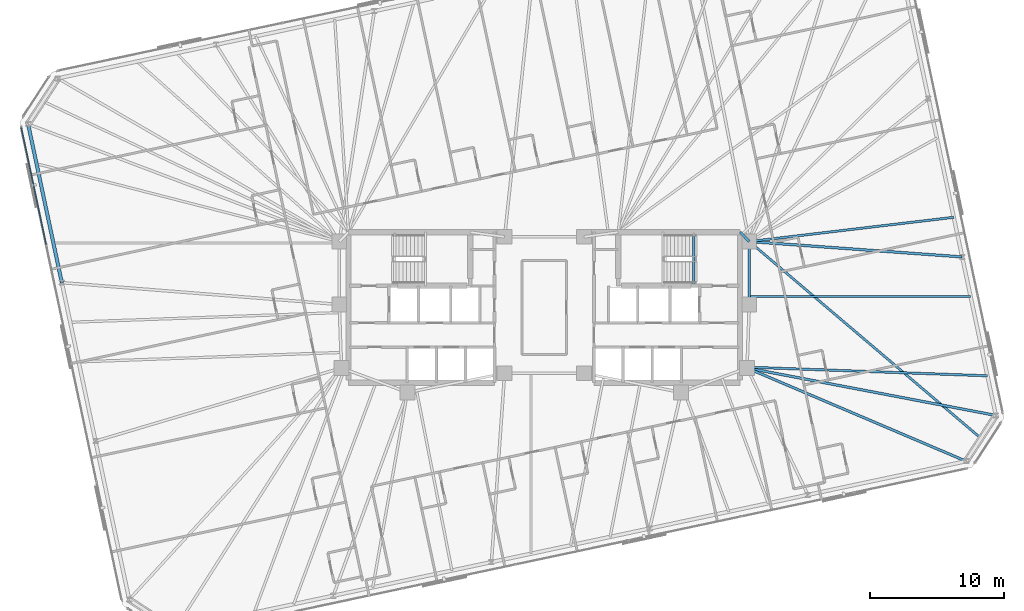
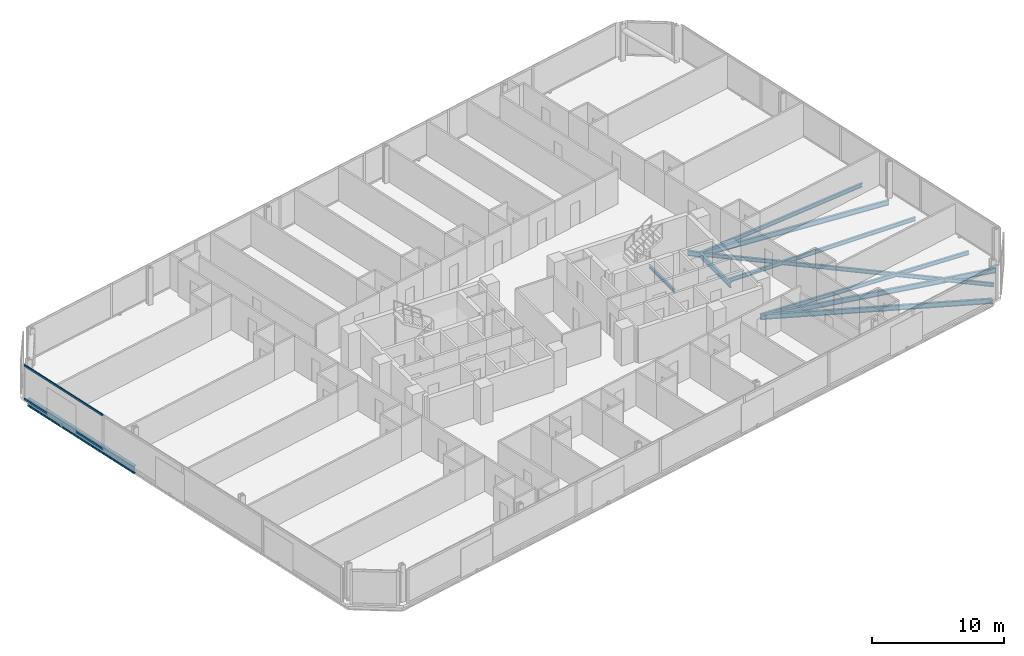
# One storey, part 8 of 20: 11 beams, 2 members, 1 element without a shape of its own.
"""IFC4 building model written with IfcOpenShell, lengths in metres."""

from ifc_helpers import new_model, si_unit, direction, frame, origin, origin_2d, place, context, subcontext, project, spatial, rectangle, i_section, extrude, material, material_profile, profile_set, type_object, element, aggregate, save


model = new_model("IFC4")

# Units and contexts
model_context = context("Model", 3, precision=1e-05, world=origin(), true_north=direction((0.0, 1.0)))
body_context = subcontext(model_context, "Body", "Model", "MODEL_VIEW")
ifc_project = project(units=[si_unit("LENGTHUNIT", "METRE"), si_unit("AREAUNIT", "SQUARE_METRE"), si_unit("VOLUMEUNIT", "CUBIC_METRE"), si_unit("PLANEANGLEUNIT", "RADIAN"), si_unit("MASSUNIT", "GRAM", prefix="KILO")], contexts=[model_context])

# Site, building, storey
site_placement = place(None, origin())
site = spatial("IfcSite", under=ifc_project, at=site_placement, CompositionType="ELEMENT")
building_placement = place(site_placement, origin())
building = spatial("IfcBuilding", under=site, at=building_placement, Name="Menara Jurai Vektor", CompositionType="ELEMENT")
storey_placement = place(building_placement, frame((0.0, 0.0, 185.39990234375)))
storey = spatial("IfcBuildingStorey", under=building, at=storey_placement, Name="L48", CompositionType="ELEMENT", Elevation=185.39990234375)

# Curtain wall, members
ifc_material_1 = material(Name="Anodised Pale Aluminium & Low-E Double Glazing", Category="aluminium")
curtain_wall_type = type_object("IfcCurtainWallType", Name="CW-BLK3", PredefinedType="NOTDEFINED", material=ifc_material_1)
curtain_wall_placement = place(storey_placement, origin())
curtain_wall = element("IfcCurtainWall", 1, at=curtain_wall_placement, inside=storey, type_object=curtain_wall_type, Name="Unitised Curtain Wall L48 F07", PredefinedType="NOTDEFINED")
ifc_material_2 = material(Name="Anodised Pale Aluminium Transom", Category="aluminium")
ifc_material_profile_1 = material_profile(ifc_material_2, rectangle(XDim=0.0849609375, YDim=0.175048828125, at=origin_2d()), Name="ALU TRN 85x175")
ifc_profile_set_1 = profile_set([ifc_material_profile_1], Name="Anodised Pale Aluminium Transom")
member_type = type_object("IfcMemberType", Name="CW-BLK3-TRN", PredefinedType="USERDEFINED", material=ifc_profile_set_1)
member_1_placement = place(storey_placement, frame((-38.896728515625, 13.378173828125, 0.04248046875), z_axis=(0.207899517354, -0.978150188204, 0.0), x_axis=(0.978150188204, 0.207899517354, 0.0)))
member_1 = element("IfcMember", 2, at=member_1_placement, type_object=member_type, Name="CW-03 transom 1.1", ObjectType="TRANSOM", PredefinedType="USERDEFINED", context=body_context, shape_type="SweptSolid", body=[
    extrude(rectangle(XDim=0.0849609375, YDim=0.175048828125, at=origin_2d()), origin(), (0.0, 0.0, 1.0), 8.882568359375),
])
member_2_placement = place(storey_placement, frame((-38.896728515625, 13.378173828125, 3.132568359375), z_axis=(0.207899517354, -0.978150188204, 0.0), x_axis=(0.978150188204, 0.207899517354, 0.0)))
member_2 = element("IfcMember", 3, at=member_2_placement, type_object=member_type, Name="CW-03 transom 1.2", ObjectType="TRANSOM", PredefinedType="USERDEFINED", context=body_context, shape_type="SweptSolid", body=[
    extrude(rectangle(XDim=0.0849609375, YDim=0.175048828125, at=origin_2d()), origin(), (0.0, 0.0, 1.0), 8.882568359375),
])
aggregate(curtain_wall, [member_1, member_2])

# Beams
ifc_material_3 = material(Name="Steel S355", Category="steel")
ifc_material_profile_2 = material_profile(ifc_material_3, i_section(OverallWidth=0.19091796875, OverallDepth=0.4599609375, WebThickness=0.010009765625, FlangeThickness=0.01611328125, FilletRadius=0.010009765625, at=origin_2d()), Name="UKB 457x191x82")
ifc_profile_set_2 = profile_set([ifc_material_profile_2], Name="Steel S355")
beam_type_1 = type_object("IfcBeamType", Name="STR-BM-457", PredefinedType="BEAM", material=ifc_profile_set_2)
beam_1_placement = place(storey_placement, frame((14.56005859375, 5.60009765625, -0.454833984375), z_axis=(0.701871936926, -0.712303154672, 0.0), x_axis=(0.712303154672, 0.701871936926, 0.0)))
element("IfcBeam", 4, at=beam_1_placement, inside=storey, type_object=beam_type_1, Name="Core Ring Header Girder L48-CHE-N2", PredefinedType="BEAM", context=body_context, shape_type="SweptSolid", body=[
    extrude(i_section(OverallWidth=0.19091796875, OverallDepth=0.4599609375, WebThickness=0.010009765625, FlangeThickness=0.01611328125, FilletRadius=0.010009765625, at=origin_2d()), origin(), (0.0, 0.0, 1.0), 0.98291015625),
])
beam_2_placement = place(storey_placement, frame((15.25, 0.219970703125, -0.454833984375), z_axis=(0.0, 1.0, 0.0), x_axis=(-1.0, 0.0, 0.0)))
element("IfcBeam", 5, at=beam_2_placement, inside=storey, type_object=beam_type_1, Name="Core Ring Header Girder L48-CHE-E1", PredefinedType="BEAM", context=body_context, shape_type="SweptSolid", body=[
    extrude(i_section(OverallWidth=0.19091796875, OverallDepth=0.4599609375, WebThickness=0.010009765625, FlangeThickness=0.01611328125, FilletRadius=0.010009765625, at=origin_2d()), origin(), (0.0, 0.0, 1.0), 4.679931640625),
])
beam_3_placement = place(storey_placement, frame((31.376220703125, -11.438720703125, -0.454833984375), z_axis=(-0.920069342045, 0.391755543458, 0.0), x_axis=(-0.391755543458, -0.920069342045, 0.0)))
element("IfcBeam", 6, at=beam_3_placement, inside=storey, type_object=beam_type_1, Name="Radial Floor Girder L48-S6", PredefinedType="BEAM", context=body_context, shape_type="SweptSolid", body=[
    extrude(i_section(OverallWidth=0.19091796875, OverallDepth=0.4599609375, WebThickness=0.010009765625, FlangeThickness=0.01611328125, FilletRadius=0.010009765625, at=origin_2d()), origin(), (0.0, 0.0, 1.0), 17.7119140625),
])
beam_4_placement = place(storey_placement, frame((33.588623046875, -8.031982421875, -0.454833984375), z_axis=(-0.982274660407, 0.187447303322, 0.0), x_axis=(-0.187447303322, -0.982274660407, 0.0)))
element("IfcBeam", 7, at=beam_4_placement, inside=storey, type_object=beam_type_1, Name="Radial Floor Girder L48-E1", PredefinedType="BEAM", context=body_context, shape_type="SweptSolid", body=[
    extrude(i_section(OverallWidth=0.19091796875, OverallDepth=0.4599609375, WebThickness=0.010009765625, FlangeThickness=0.01611328125, FilletRadius=0.010009765625, at=origin_2d()), origin(), (0.0, 0.0, 1.0), 18.842529296875),
])
beam_5_placement = place(storey_placement, frame((31.082763671875, 3.75634765625, -0.454833984375), z_axis=(-0.997401783921, 0.072039443584, 0.0), x_axis=(-0.072039443584, -0.997401783921, 0.0)))
element("IfcBeam", 8, at=beam_5_placement, inside=storey, type_object=beam_type_1, Name="Radial Floor Girder L48-E2", PredefinedType="BEAM", context=body_context, shape_type="SweptSolid", body=[
    extrude(i_section(OverallWidth=0.19091796875, OverallDepth=0.4599609375, WebThickness=0.010009765625, FlangeThickness=0.01611328125, FilletRadius=0.010009765625, at=origin_2d()), origin(), (0.0, 0.0, 1.0), 15.8740234375),
])
ifc_material_profile_3 = material_profile(ifc_material_3, i_section(OverallWidth=0.172119140625, OverallDepth=0.35498046875, WebThickness=0.007080078125, FlangeThickness=0.011962890625, FilletRadius=0.010009765625, at=origin_2d()), Name="UKB 356x171x51")
ifc_profile_set_3 = profile_set([ifc_material_profile_3], Name="Steel S355")
beam_type_2 = type_object("IfcBeamType", Name="STR-JS-356", PredefinedType="JOIST", material=ifc_profile_set_3)
beam_6_placement = place(storey_placement, frame((32.482421875, -9.7353515625, -0.40234375), z_axis=(-0.762207822165, 0.6473323998, 0.0), x_axis=(-0.6473323998, -0.762207822165, 0.0)))
element("IfcBeam", 9, at=beam_6_placement, inside=storey, type_object=beam_type_2, Name="Radial Secondary Floor Joist L48-JS10", PredefinedType="JOIST", context=body_context, shape_type="SweptSolid", body=[
    extrude(i_section(OverallWidth=0.172119140625, OverallDepth=0.35498046875, WebThickness=0.007080078125, FlangeThickness=0.011962890625, FilletRadius=0.010009765625, at=origin_2d()), origin(), (0.0, 0.0, 1.0), 22.608642578125),
])
beam_7_placement = place(storey_placement, frame((32.962158203125, -5.0849609375, -0.40234375), z_axis=(-0.999351908775, 0.035996700238, 0.0), x_axis=(-0.035996700238, -0.999351908775, 0.0)))
element("IfcBeam", 10, at=beam_7_placement, inside=storey, type_object=beam_type_2, Name="Radial Secondary Floor Joist L48-JS11", PredefinedType="JOIST", context=body_context, shape_type="SweptSolid", body=[
    extrude(i_section(OverallWidth=0.172119140625, OverallDepth=0.35498046875, WebThickness=0.007080078125, FlangeThickness=0.011962890625, FilletRadius=0.010009765625, at=origin_2d()), origin(), (0.0, 0.0, 1.0), 17.8916015625),
])
beam_8_placement = place(storey_placement, frame((31.709228515625, 0.809326171875, -0.40234375), z_axis=(-1.0, 0.0, 0.0), x_axis=(0.0, -1.0, 0.0)))
element("IfcBeam", 11, at=beam_8_placement, inside=storey, type_object=beam_type_2, Name="Radial Secondary Floor Joist L48-JS12", PredefinedType="JOIST", context=body_context, shape_type="SweptSolid", body=[
    extrude(i_section(OverallWidth=0.172119140625, OverallDepth=0.35498046875, WebThickness=0.007080078125, FlangeThickness=0.011962890625, FilletRadius=0.010009765625, at=origin_2d()), origin(), (0.0, 0.0, 1.0), 16.459228515625),
])
beam_9_placement = place(storey_placement, frame((30.456298828125, 6.70361328125, -0.40234375), z_axis=(-0.993038492178, -0.11779029269, 0.0), x_axis=(0.11779029269, -0.993038492178, 0.0)))
element("IfcBeam", 12, at=beam_9_placement, inside=storey, type_object=beam_type_2, Name="Radial Secondary Floor Joist L48-JS13", PredefinedType="JOIST", context=body_context, shape_type="SweptSolid", body=[
    extrude(i_section(OverallWidth=0.172119140625, OverallDepth=0.35498046875, WebThickness=0.007080078125, FlangeThickness=0.011962890625, FilletRadius=0.010009765625, at=origin_2d()), origin(), (0.0, 0.0, 1.0), 15.31298828125),
])
ifc_material_profile_4 = material_profile(ifc_material_3, i_section(OverallWidth=0.1650390625, OverallDepth=0.302978515625, WebThickness=0.006103515625, FlangeThickness=0.010009765625, FilletRadius=0.009033203125, at=origin_2d()), Name="UKB 305x165x40")
ifc_profile_set_4 = profile_set([ifc_material_profile_4], Name="Steel S355")
beam_type_3 = type_object("IfcBeamType", Name="STR-LN-305", PredefinedType="LINTEL", material=ifc_profile_set_4)
beam_10_placement = place(storey_placement, frame((11.1201171875, 1.60009765625, -0.37646484375), z_axis=(0.0, 1.0, 0.0), x_axis=(-1.0, 0.0, 0.0)))
element("IfcBeam", 13, at=beam_10_placement, inside=storey, type_object=beam_type_3, Name="Stair Well Floor Trimmer ST2 L48", PredefinedType="LINTEL", context=body_context, shape_type="SweptSolid", body=[
    extrude(i_section(OverallWidth=0.1650390625, OverallDepth=0.302978515625, WebThickness=0.006103515625, FlangeThickness=0.010009765625, FilletRadius=0.009033203125, at=origin_2d()), origin(), (0.0, 0.0, 1.0), 3.81982421875),
])
ifc_material_4 = material(Name="Steel S460", Category="steel")
ifc_material_profile_5 = material_profile(ifc_material_4, i_section(OverallWidth=0.256103515625, OverallDepth=0.693115234375, WebThickness=0.013916015625, FlangeThickness=0.02392578125, FilletRadius=0.014892578125, at=origin_2d()), Name="UKB 686x254x170")
ifc_profile_set_5 = profile_set([ifc_material_profile_5], Name="Steel S460")
beam_type_4 = type_object("IfcBeamType", Name="STR-SP-686", PredefinedType="SPANDREL", material=ifc_profile_set_5)
beam_11_placement = place(storey_placement, frame((-38.388671875, 13.632080078125, -0.5712890625), z_axis=(0.207921262698, -0.978145566119, 0.0), x_axis=(0.978145566119, 0.207921262698, 0.0)))
element("IfcBeam", 14, at=beam_11_placement, inside=storey, type_object=beam_type_4, Name="Exoskeleton Spandrel Beam L48-17", PredefinedType="SPANDREL", context=body_context, shape_type="SweptSolid", body=[
    extrude(i_section(OverallWidth=0.256103515625, OverallDepth=0.693115234375, WebThickness=0.013916015625, FlangeThickness=0.02392578125, FilletRadius=0.014892578125, at=origin_2d()), origin(), (0.0, 0.0, 1.0), 12.052001953125),
])

save(model, "model.ifc")
